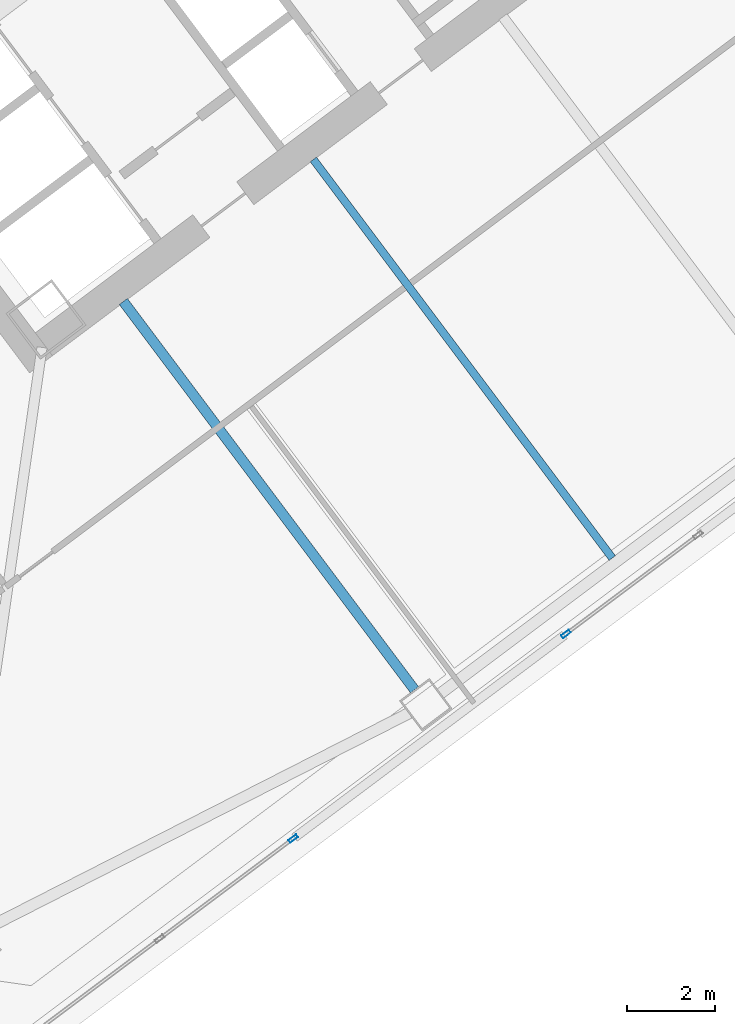
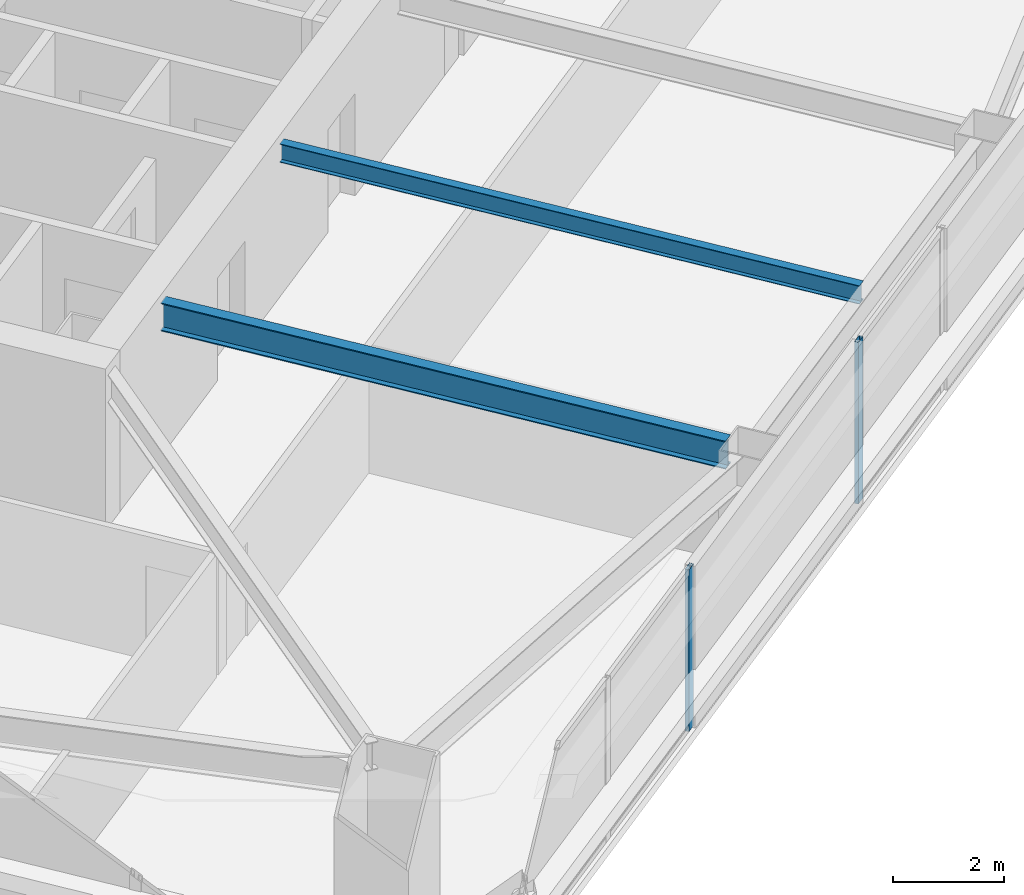
# One storey, part 22 of 44: 2 beams, 2 members, 2 elements without a shape of their own.
"""IFC4 building model written with IfcOpenShell, lengths in metres."""

from ifc_helpers import new_model, si_unit, direction, frame, origin, origin_2d, place, context, subcontext, project, spatial, hollow_rectangle, i_section, extrude, material, material_profile, profile_set, type_object, element, aggregate, save


model = new_model("IFC4")

# Units and contexts
model_context = context("Model", 3, precision=1e-05, world=origin(), true_north=direction((0.0, 1.0)))
body_context = subcontext(model_context, "Body", "Model", "MODEL_VIEW")
ifc_project = project(units=[si_unit("LENGTHUNIT", "METRE"), si_unit("AREAUNIT", "SQUARE_METRE"), si_unit("VOLUMEUNIT", "CUBIC_METRE"), si_unit("PLANEANGLEUNIT", "RADIAN"), si_unit("MASSUNIT", "GRAM", prefix="KILO")], contexts=[model_context])

# Site, building, storey
site_placement = place(None, origin())
site = spatial("IfcSite", under=ifc_project, at=site_placement, CompositionType="ELEMENT")
building_placement = place(site_placement, origin())
building = spatial("IfcBuilding", under=site, at=building_placement, Name="Tashvorn Skyway Center", CompositionType="ELEMENT")
storey_placement = place(building_placement, frame((0.0, 0.0, 92.050048828125)))
storey = spatial("IfcBuildingStorey", under=building, at=storey_placement, Name="L24", CompositionType="ELEMENT", Elevation=92.050048828125)

# Beams
ifc_material_1 = material(Name="Steel ASTM A992 Grade 50", Category="steel")
ifc_material_profile_1 = material_profile(ifc_material_1, i_section(OverallWidth=0.22998046875, OverallDepth=0.616943359375, WebThickness=0.01318359375, FlangeThickness=0.022216796875, at=origin_2d()), Name="W24X94")
ifc_profile_set_1 = profile_set([ifc_material_profile_1], Name="Steel ASTM A992 Grade 50")
beam_type_1 = type_object("IfcBeamType", Name="BM-BEAM-W24X94", PredefinedType="BEAM", material=ifc_profile_set_1)
beam_1_placement = place(storey_placement, frame((120.97802734375, 13.696044921875, 3.04150390625), z_axis=(-0.60001414024, 0.799989394625, 0.0), x_axis=(-0.799989394625, -0.60001414024, 0.0)))
element("IfcBeam", 1, at=beam_1_placement, inside=storey, type_object=beam_type_1, Name="Tower 2 L24 Primary Floor Girder FC-S1", PredefinedType="BEAM", context=body_context, shape_type="SweptSolid", body=[
    extrude(i_section(OverallWidth=0.22998046875, OverallDepth=0.616943359375, WebThickness=0.01318359375, FlangeThickness=0.022216796875, at=origin_2d()), origin(), (0.0, 0.0, 1.0), 11.050048828125),
])
ifc_material_profile_2 = material_profile(ifc_material_1, i_section(OverallWidth=0.177978515625, OverallDepth=0.406005859375, WebThickness=0.0078125, FlangeThickness=0.0126953125, at=origin_2d()), Name="W16X40")
ifc_profile_set_2 = profile_set([ifc_material_profile_2], Name="Steel ASTM A992 Grade 50")
beam_type_2 = type_object("IfcBeamType", Name="BM-JOIST-W16X40", PredefinedType="JOIST", material=ifc_profile_set_2)
beam_2_placement = place(storey_placement, frame((118.674072265625, 25.76806640625, 3.14697265625), z_axis=(0.599996555327, -0.800002583493, 0.0), x_axis=(0.800002583493, 0.599996555327, 0.0)))
element("IfcBeam", 2, at=beam_2_placement, inside=storey, type_object=beam_type_2, Name="Tower 2 L24 Secondary Composite Joist JS", PredefinedType="JOIST", context=body_context, shape_type="SweptSolid", body=[
    extrude(i_section(OverallWidth=0.177978515625, OverallDepth=0.406005859375, WebThickness=0.0078125, FlangeThickness=0.0126953125, at=origin_2d()), origin(), (0.0, 0.0, 1.0), 11.340087890625),
])

# Curtain wall, member
ifc_material_2 = material(Name="Thermally broken bronze-anodized aluminium 6063-T6", Category="aluminium")
curtain_wall_type = type_object("IfcCurtainWallType", Name="CW-CW-Z2", PredefinedType="NOTDEFINED", material=ifc_material_2)
curtain_wall_1_placement = place(storey_placement, origin())
curtain_wall_1 = element("IfcCurtainWall", 3, at=curtain_wall_1_placement, inside=storey, type_object=curtain_wall_type, Name="Tower 2 L24 South Unitised Curtain Wall Glazing Group 2", PredefinedType="NOTDEFINED")
ifc_material_profile_3 = material_profile(ifc_material_2, hollow_rectangle(XDim=0.080078125, YDim=0.219970703125, WallThickness=0.0048828125, at=origin_2d()), Name="ALU-MULL-80x220")
ifc_profile_set_3 = profile_set([ifc_material_profile_3], Name="Thermally broken bronze-anodized aluminium 6063-T6")
member_type = type_object("IfcMemberType", Name="CWM-CW-Z2", PredefinedType="MULLION", material=ifc_profile_set_3)
member_1_placement = place(storey_placement, frame((124.424072265625, 14.968017578125, 0.0), z_axis=(0.0, 0.0, 1.0), x_axis=(0.600000000002, -0.799999999998, 0.0)))
member_1 = element("IfcMember", 4, at=member_1_placement, type_object=member_type, Name="CW-Z2 mullion 2", PredefinedType="MULLION", context=body_context, shape_type="SweptSolid", body=[
    extrude(hollow_rectangle(XDim=0.080078125, YDim=0.219970703125, WallThickness=0.0048828125, at=origin_2d()), origin(), (0.0, 0.0, 1.0), 3.550048828125),
])
aggregate(curtain_wall_1, [member_1])

curtain_wall_2_placement = place(storey_placement, origin())
curtain_wall_2 = element("IfcCurtainWall", 5, at=curtain_wall_2_placement, inside=storey, type_object=curtain_wall_type, Name="Tower 2 L24 South Unitised Curtain Wall Glazing Group 3", PredefinedType="NOTDEFINED")
member_2_placement = place(storey_placement, frame((118.216064453125, 10.31201171875, 0.0), z_axis=(0.0, 0.0, 1.0), x_axis=(0.600000000002, -0.799999999998, 0.0)))
member_2 = element("IfcMember", 6, at=member_2_placement, type_object=member_type, Name="CW-Z2 mullion 1", PredefinedType="MULLION", context=body_context, shape_type="SweptSolid", body=[
    extrude(hollow_rectangle(XDim=0.080078125, YDim=0.219970703125, WallThickness=0.0048828125, at=origin_2d()), origin(), (0.0, 0.0, 1.0), 3.550048828125),
])
aggregate(curtain_wall_2, [member_2])

save(model, "model.ifc")
